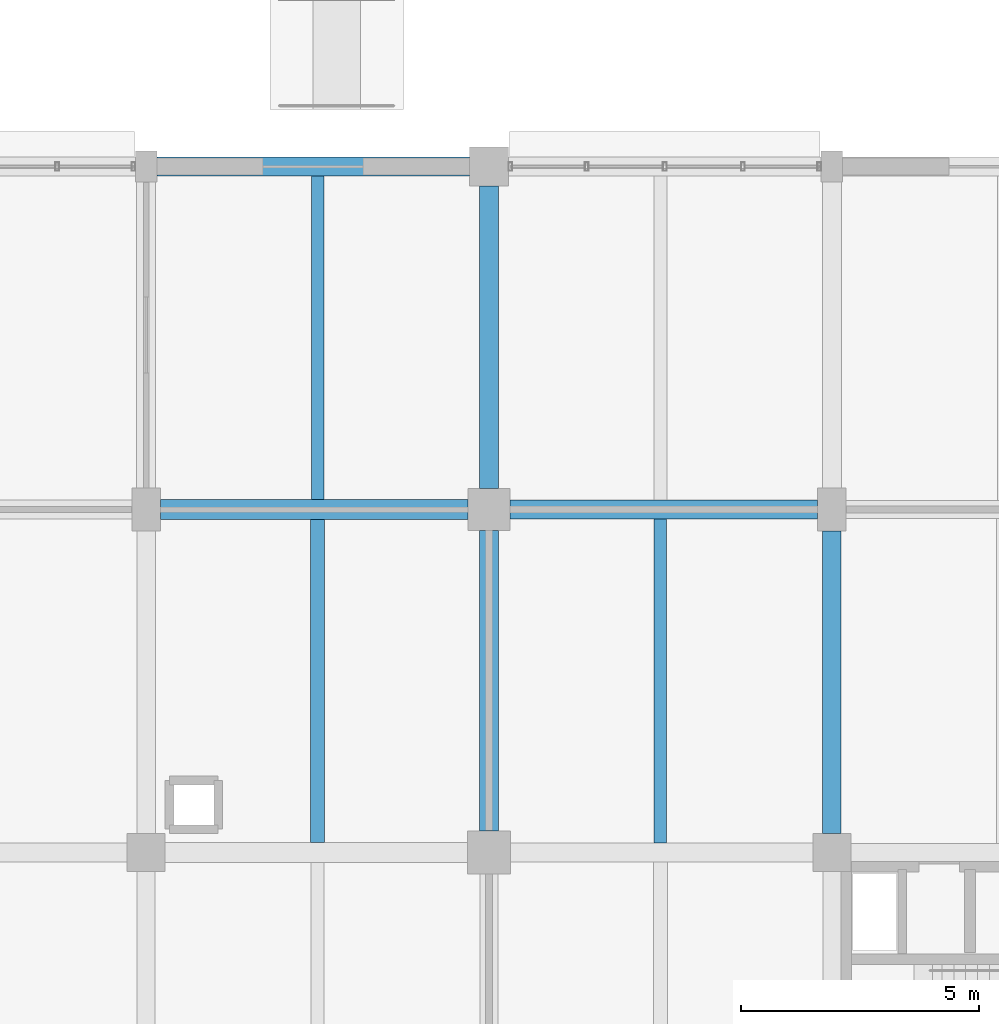
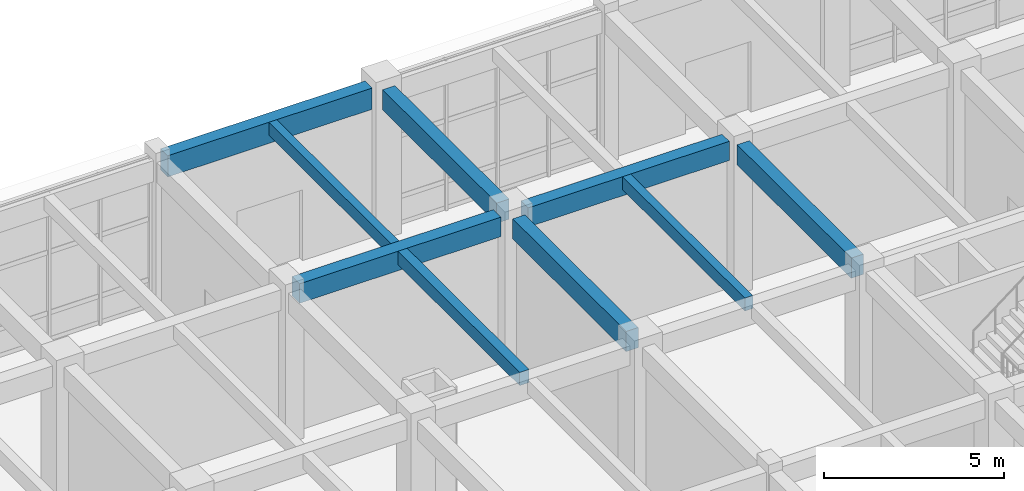
# One storey, part 66 of 160: 9 beams.
"""IFC4 building model written with IfcOpenShell, lengths in metres."""

from ifc_helpers import new_model, si_unit, direction, frame, origin, origin_2d, place, context, subcontext, project, spatial, rectangle, extrude, material, material_profile, profile_set, type_object, element, save


model = new_model("IFC4")

# Units and contexts
model_context = context("Model", 3, precision=1e-05, world=origin(), true_north=direction((0.0, 1.0)))
body_context = subcontext(model_context, "Body", "Model", "MODEL_VIEW")
ifc_project = project(units=[si_unit("LENGTHUNIT", "METRE"), si_unit("AREAUNIT", "SQUARE_METRE"), si_unit("VOLUMEUNIT", "CUBIC_METRE"), si_unit("PLANEANGLEUNIT", "RADIAN"), si_unit("MASSUNIT", "GRAM", prefix="KILO")], contexts=[model_context])

# Site, building, storey
site_placement = place(None, origin())
site = spatial("IfcSite", under=ifc_project, at=site_placement, CompositionType="ELEMENT")
building_placement = place(site_placement, origin())
building = spatial("IfcBuilding", under=site, at=building_placement, Name="Thalmaran Polytechnic", CompositionType="ELEMENT")
storey_placement = place(building_placement, origin())
storey = spatial("IfcBuildingStorey", under=building, at=storey_placement, Name="L00", CompositionType="ELEMENT", Elevation=0.0)

# Beams
ifc_material = material(Name="Concrete C40/50", Category="concrete")
ifc_material_profile_1 = material_profile(ifc_material, rectangle(XDim=0.39990234375, YDim=0.64990234375, at=origin_2d()), Name="RC 400x650")
ifc_profile_set_1 = profile_set([ifc_material_profile_1], Name="Concrete C40/50")
beam_type_1 = type_object("IfcBeamType", Name="BM-RC06", PredefinedType="BEAM", material=ifc_profile_set_1)
beam_1_placement = place(storey_placement, frame((50.840087890625, 115.199951171875, 4.764892578125), z_axis=(1.0, 0.0, 0.0), x_axis=(0.0, 1.0, 0.0)))
element("IfcBeam", 1, at=beam_1_placement, inside=storey, type_object=beam_type_1, Name="Grid Beam B06 L00 X(7,16)", PredefinedType="BEAM", context=body_context, shape_type="SweptSolid", body=[
    extrude(rectangle(XDim=0.39990234375, YDim=0.64990234375, at=origin_2d()), origin(), (0.0, 0.0, 1.0), 6.4599609375),
])
ifc_material_profile_2 = material_profile(ifc_material, rectangle(XDim=0.389892578125, YDim=0.68505859375, at=origin_2d()), Name="RC 390x685")
ifc_profile_set_2 = profile_set([ifc_material_profile_2], Name="Concrete C40/50")
beam_type_2 = type_object("IfcBeamType", Name="BM-RC08", PredefinedType="BEAM", material=ifc_profile_set_2)
beam_2_placement = place(storey_placement, frame((50.39990234375, 108.449951171875, 4.74755859375), z_axis=(0.0, 1.0, 0.0), x_axis=(-1.0, 0.0, 0.0)))
element("IfcBeam", 2, at=beam_2_placement, inside=storey, type_object=beam_type_2, Name="Grid Beam B08 L00 Y(7,15)", PredefinedType="BEAM", context=body_context, shape_type="SweptSolid", body=[
    extrude(rectangle(XDim=0.389892578125, YDim=0.68505859375, at=origin_2d()), origin(), (0.0, 0.0, 1.0), 6.31005859375),
])
beam_3_placement = place(storey_placement, frame((57.60009765625, 108.39990234375, 4.74755859375), z_axis=(0.0, 1.0, 0.0), x_axis=(-1.0, 0.0, 0.0)))
element("IfcBeam", 3, at=beam_3_placement, inside=storey, type_object=beam_type_2, Name="Grid Beam B08 L00 Y(8,15)", PredefinedType="BEAM", context=body_context, shape_type="SweptSolid", body=[
    extrude(rectangle(XDim=0.389892578125, YDim=0.68505859375, at=origin_2d()), origin(), (0.0, 0.0, 1.0), 6.35009765625),
])
ifc_material_profile_3 = material_profile(ifc_material, rectangle(XDim=0.300048828125, YDim=0.449951171875, at=origin_2d()), Name="RC 300x450")
ifc_profile_set_3 = profile_set([ifc_material_profile_3], Name="Concrete C40/50")
beam_type_3 = type_object("IfcBeamType", Name="BM-RC12", PredefinedType="JOIST", material=ifc_profile_set_3)
beam_4_placement = place(storey_placement, frame((46.800048828125, 108.2099609375, 4.864990234375), z_axis=(0.0, 1.0, 0.0), x_axis=(-1.0, 0.0, 0.0)))
element("IfcBeam", 4, at=beam_4_placement, inside=storey, type_object=beam_type_3, Name="Secondary Floor Rib RB02 L00 (6,15)", PredefinedType="JOIST", context=body_context, shape_type="SweptSolid", body=[
    extrude(rectangle(XDim=0.300048828125, YDim=0.449951171875, at=origin_2d()), origin(), (0.0, 0.0, 1.0), 6.780029296875),
])
ifc_material_profile_4 = material_profile(ifc_material, rectangle(XDim=0.39990234375, YDim=0.719970703125, at=origin_2d()), Name="RC 400x720")
ifc_profile_set_4 = profile_set([ifc_material_profile_4], Name="Concrete C40/50")
beam_type_4 = type_object("IfcBeamType", Name="BM-SP01", PredefinedType="SPANDREL", material=ifc_profile_set_4)
beam_5_placement = place(storey_placement, frame((43.425048828125, 122.39990234375, 4.72998046875), z_axis=(1.0, 0.0, 0.0), x_axis=(0.0, 1.0, 0.0)))
element("IfcBeam", 5, at=beam_5_placement, inside=storey, type_object=beam_type_4, Name="Grid Beam SP01 L00 X(6,17)", PredefinedType="SPANDREL", context=body_context, shape_type="SweptSolid", body=[
    extrude(rectangle(XDim=0.39990234375, YDim=0.719970703125, at=origin_2d()), origin(), (0.0, 0.0, 1.0), 6.56494140625),
])
ifc_material_profile_5 = material_profile(ifc_material, rectangle(XDim=0.419921875, YDim=0.659912109375, at=origin_2d()), Name="RC 420x660")
ifc_profile_set_5 = profile_set([ifc_material_profile_5], Name="Concrete C40/50")
beam_type_5 = type_object("IfcBeamType", Name="BM-ZB04", PredefinedType="BEAM", material=ifc_profile_set_5)
beam_6_placement = place(storey_placement, frame((43.5, 115.199951171875, 4.760009765625), z_axis=(1.0, 0.0, 0.0), x_axis=(0.0, 1.0, 0.0)))
element("IfcBeam", 6, at=beam_6_placement, inside=storey, type_object=beam_type_5, Name="Grid Beam ZB04 L00 X(6,16)", PredefinedType="BEAM", context=body_context, shape_type="SweptSolid", body=[
    extrude(rectangle(XDim=0.419921875, YDim=0.659912109375, at=origin_2d()), origin(), (0.0, 0.0, 1.0), 6.4599609375),
])
ifc_material_profile_6 = material_profile(ifc_material, rectangle(XDim=0.39990234375, YDim=0.68505859375, at=origin_2d()), Name="RC 400x685")
ifc_profile_set_6 = profile_set([ifc_material_profile_6], Name="Concrete C40/50")
beam_type_6 = type_object("IfcBeamType", Name="BM-ZB07", PredefinedType="BEAM", material=ifc_profile_set_6)
beam_7_placement = place(storey_placement, frame((50.39990234375, 115.639892578125, 4.74755859375), z_axis=(0.0, 1.0, 0.0), x_axis=(-1.0, 0.0, 0.0)))
element("IfcBeam", 7, at=beam_7_placement, inside=storey, type_object=beam_type_6, Name="Grid Beam ZB07 L00 Y(7,16)", PredefinedType="BEAM", context=body_context, shape_type="SweptSolid", body=[
    extrude(rectangle(XDim=0.39990234375, YDim=0.68505859375, at=origin_2d()), origin(), (0.0, 0.0, 1.0), 6.35009765625),
])
ifc_material_profile_7 = material_profile(ifc_material, rectangle(XDim=0.260009765625, YDim=0.43994140625, at=origin_2d()), Name="RC 260x440")
ifc_profile_set_7 = profile_set([ifc_material_profile_7], Name="Concrete C40/50")
beam_type_7 = type_object("IfcBeamType", Name="BM-ZJ02", PredefinedType="JOIST", material=ifc_profile_set_7)
beam_8_placement = place(storey_placement, frame((46.800048828125, 115.409912109375, 4.8701171875), z_axis=(0.0, 1.0, 0.0), x_axis=(-1.0, 0.0, 0.0)))
element("IfcBeam", 8, at=beam_8_placement, inside=storey, type_object=beam_type_7, Name="Secondary Floor Rib ZJ02 L00 (6,16)", PredefinedType="JOIST", context=body_context, shape_type="SweptSolid", body=[
    extrude(rectangle(XDim=0.260009765625, YDim=0.43994140625, at=origin_2d()), origin(), (0.0, 0.0, 1.0), 6.7900390625),
])
beam_9_placement = place(storey_placement, frame((54.0, 108.199951171875, 4.8701171875), z_axis=(0.0, 1.0, 0.0), x_axis=(-1.0, 0.0, 0.0)))
element("IfcBeam", 9, at=beam_9_placement, inside=storey, type_object=beam_type_7, Name="Secondary Floor Rib ZJ02 L00 (7,15)", PredefinedType="JOIST", context=body_context, shape_type="SweptSolid", body=[
    extrude(rectangle(XDim=0.260009765625, YDim=0.43994140625, at=origin_2d()), origin(), (0.0, 0.0, 1.0), 6.800048828125),
])

save(model, "model.ifc")
